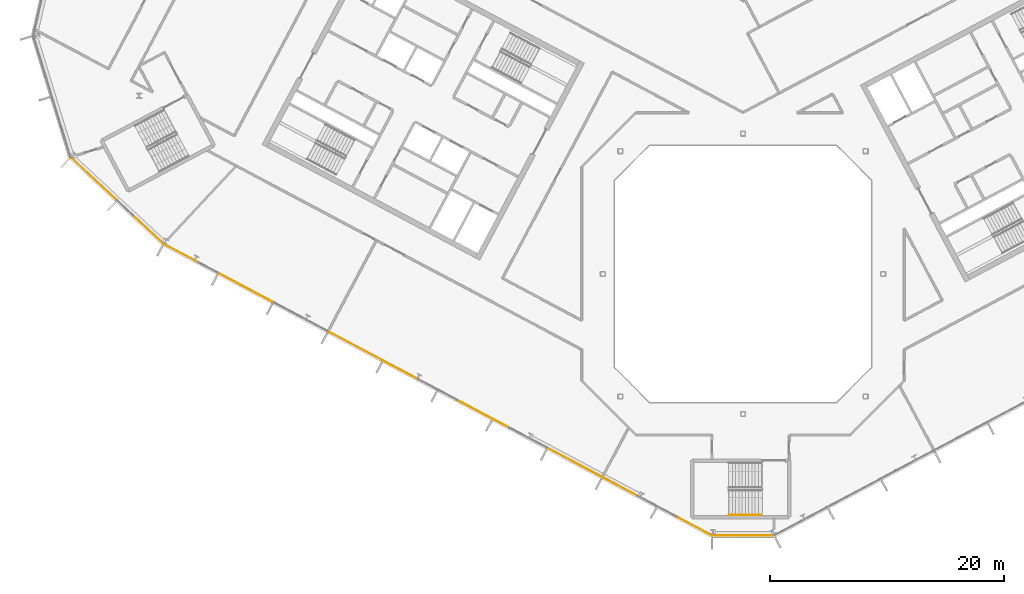
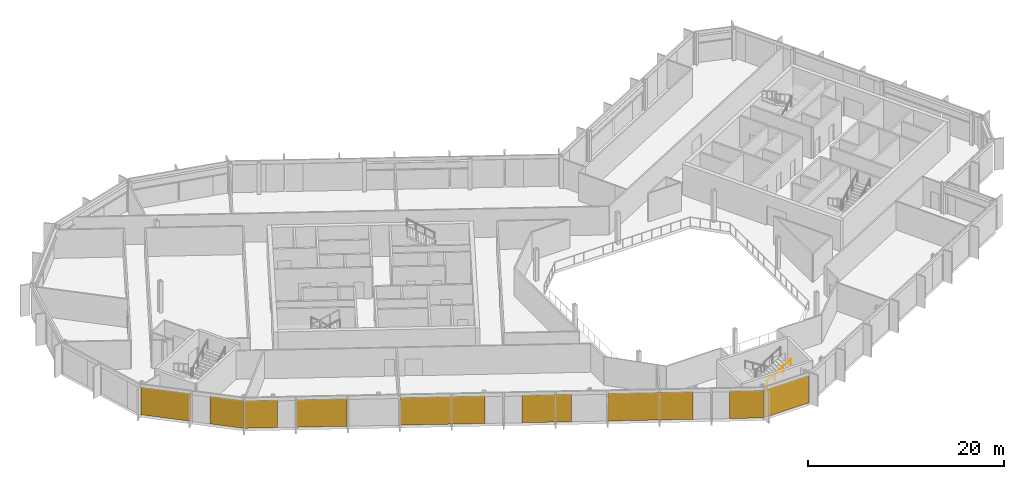
# One storey, part 18 of 25: 9 coverings, 1 railing, 3 elements without a shape of their own.
"""IFC4 building model written with IfcOpenShell, lengths in metres."""

from ifc_helpers import new_model, si_unit, direction, frame, origin, origin_2d, place, context, subcontext, project, spatial, polyline, rectangle, outline, extrude, material, layer, layer_set, type_object, element, aggregate, save


model = new_model("IFC4")

# Units and contexts
model_context = context("Model", 3, precision=1e-05, world=origin(), true_north=direction((0.0, 1.0)))
body_context = subcontext(model_context, "Body", "Model", "MODEL_VIEW")
ifc_project = project(units=[si_unit("LENGTHUNIT", "METRE"), si_unit("AREAUNIT", "SQUARE_METRE"), si_unit("VOLUMEUNIT", "CUBIC_METRE"), si_unit("PLANEANGLEUNIT", "RADIAN"), si_unit("MASSUNIT", "GRAM", prefix="KILO")], contexts=[model_context])

# Site, building, storey
site_placement = place(None, origin())
site = spatial("IfcSite", under=ifc_project, at=site_placement, CompositionType="ELEMENT")
building_placement = place(site_placement, origin())
building = spatial("IfcBuilding", under=site, at=building_placement, Name="Cormorant Relay Tower", CompositionType="ELEMENT")
storey_placement = place(building_placement, frame((0.0, 0.0, 273.60009765625)))
storey = spatial("IfcBuildingStorey", under=building, at=storey_placement, Name="L61", CompositionType="ELEMENT", Elevation=273.60009765625)

# Curtain wall, covering
ifc_material_1 = material(Name="Aluminium 6063-T6 anodised bronze", Category="aluminium")
ifc_layer_1 = layer(ifc_material_1, 0.199951171875)
ifc_layer_set_1 = layer_set([ifc_layer_1], Name="CW1 unitised bronze curtain wall with vertical fins")
curtain_wall_type = type_object("IfcCurtainWallType", Name="CW1 unitised bronze curtain wall with vertical fins", PredefinedType="NOTDEFINED", material=ifc_layer_set_1)
curtain_wall_1_placement = place(storey_placement, origin())
curtain_wall_1 = element("IfcCurtainWall", 1, at=curtain_wall_1_placement, inside=storey, type_object=curtain_wall_type, Name="CW1 curtain wall 1", PredefinedType="NOTDEFINED")
ifc_material_2 = material(Name="Pale bronze anodised aluminium insulated panel", Category="aluminium")
ifc_layer_2 = layer(ifc_material_2, 0.0400390625)
ifc_layer_set_2 = layer_set([ifc_layer_2], Name="CW1 pale bronze insulated panel 40")
covering_type = type_object("IfcCoveringType", Name="CW1 pale bronze insulated panel 40", PredefinedType="CLADDING", material=ifc_layer_set_2)
covering_1_placement = place(storey_placement, frame((0.03759765625, -22.3955078125, 0.0), z_axis=(0.0, 0.0, 1.0), x_axis=(1.0, 0.0, 0.0)))
covering_1 = element("IfcCovering", 2, at=covering_1_placement, type_object=covering_type, Name="CW1 panel S00", PredefinedType="CLADDING", context=body_context, shape_type="SweptSolid", body=[
    extrude(rectangle(XDim=5.22265625, YDim=0.0400390625, at=origin_2d()), origin(), (0.0, 0.0, 1.0), 3.449951171875),
])
aggregate(curtain_wall_1, [covering_1])

# Curtain wall, coverings
curtain_wall_2_placement = place(storey_placement, origin())
curtain_wall_2 = element("IfcCurtainWall", 3, at=curtain_wall_2_placement, inside=storey, type_object=curtain_wall_type, Name="CW1 curtain wall 15", PredefinedType="NOTDEFINED")
covering_2_placement = place(storey_placement, frame((-55.56787109375, 8.1298828125, 0.0), z_axis=(0.0, 0.0, 1.0), x_axis=(0.731353701619, -0.681998360062, 0.0)))
covering_2 = element("IfcCovering", 4, at=covering_2_placement, type_object=covering_type, Name="CW1 panel S00", PredefinedType="CLADDING", context=body_context, shape_type="SweptSolid", body=[
    extrude(rectangle(XDim=5.28515625, YDim=0.0400390625, at=origin_2d()), origin(), (0.0, 0.0, 1.0), 3.449951171875),
])
covering_3_placement = place(storey_placement, frame((-50.906982421875, 3.78369140625, 0.0), z_axis=(0.0, 0.0, 1.0), x_axis=(0.731353701619, -0.681998360062, 0.0)))
covering_3 = element("IfcCovering", 5, at=covering_3_placement, type_object=covering_type, Name="CW1 panel S02", PredefinedType="CLADDING", context=body_context, shape_type="SweptSolid", body=[
    extrude(rectangle(XDim=3.560302734375, YDim=0.0400390625, at=origin_2d()), origin(), (0.0, 0.0, 1.0), 3.449951171875),
])
aggregate(curtain_wall_2, [covering_2, covering_3])

curtain_wall_3_placement = place(storey_placement, origin())
curtain_wall_3 = element("IfcCurtainWall", 6, at=curtain_wall_3_placement, inside=storey, type_object=curtain_wall_type, Name="CW1 curtain wall 16", PredefinedType="NOTDEFINED")
covering_4_placement = place(storey_placement, frame((-48.048583984375, 1.7412109375, 0.0), z_axis=(0.0, 0.0, 1.0), x_axis=(0.882947592859, -0.469471562786, 0.0)))
covering_4 = element("IfcCovering", 7, at=covering_4_placement, type_object=covering_type, Name="CW1 panel S00", PredefinedType="CLADDING", context=body_context, shape_type="SweptSolid", body=[
    extrude(rectangle(XDim=3.36669921875, YDim=0.0400390625, at=origin_2d()), origin(), (0.0, 0.0, 1.0), 3.449951171875),
])
covering_5_placement = place(storey_placement, frame((-42.5595703125, -1.17724609375, 0.0), z_axis=(0.0, 0.0, 1.0), x_axis=(0.882947592859, -0.469471562786, 0.0)))
covering_5 = element("IfcCovering", 8, at=covering_5_placement, type_object=covering_type, Name="CW1 panel S02", PredefinedType="CLADDING", context=body_context, shape_type="SweptSolid", body=[
    extrude(rectangle(XDim=5.16650390625, YDim=0.0400390625, at=origin_2d()), origin(), (0.0, 0.0, 1.0), 3.449951171875),
])
covering_6_placement = place(storey_placement, frame((-31.618408203125, -6.994873046875, 0.0), z_axis=(0.0, 0.0, 1.0), x_axis=(0.882947592859, -0.469471562786, 0.0)))
covering_6 = element("IfcCovering", 9, at=covering_6_placement, type_object=covering_type, Name="CW1 panel S04", PredefinedType="CLADDING", context=body_context, shape_type="SweptSolid", body=[
    extrude(rectangle(XDim=8.68310546875, YDim=0.0400390625, at=origin_2d()), origin(), (0.0, 0.0, 1.0), 3.449951171875),
])
covering_7_placement = place(storey_placement, frame((-22.22998046875, -11.98681640625, 0.0), z_axis=(0.0, 0.0, 1.0), x_axis=(0.882947592859, -0.469471562786, 0.0)))
covering_7 = element("IfcCovering", 10, at=covering_7_placement, type_object=covering_type, Name="CW1 panel S07", PredefinedType="CLADDING", context=body_context, shape_type="SweptSolid", body=[
    extrude(rectangle(XDim=5.083251953125, YDim=0.0400390625, at=origin_2d()), origin(), (0.0, 0.0, 1.0), 3.449951171875),
])
covering_8_placement = place(storey_placement, frame((-12.84130859375, -16.978759765625, 0.0), z_axis=(0.0, 0.0, 1.0), x_axis=(0.882947592859, -0.469471562786, 0.0)))
covering_8 = element("IfcCovering", 11, at=covering_8_placement, type_object=covering_type, Name="CW1 panel S09", PredefinedType="CLADDING", context=body_context, shape_type="SweptSolid", body=[
    extrude(rectangle(XDim=8.68310546875, YDim=0.0400390625, at=origin_2d()), origin(), (0.0, 0.0, 1.0), 3.449951171875),
])
covering_9_placement = place(storey_placement, frame((-4.177490234375, -21.58544921875, 0.0), z_axis=(0.0, 0.0, 1.0), x_axis=(0.882947592859, -0.469471562786, 0.0)))
covering_9 = element("IfcCovering", 12, at=covering_9_placement, type_object=covering_type, Name="CW1 panel S12", PredefinedType="CLADDING", context=body_context, shape_type="SweptSolid", body=[
    extrude(rectangle(XDim=3.441650390625, YDim=0.0400390625, at=origin_2d()), origin(), (0.0, 0.0, 1.0), 3.449951171875),
])
aggregate(curtain_wall_3, [covering_4, covering_5, covering_6, covering_7, covering_8, covering_9])

# Railing
ifc_material_3 = material(Name="Steel ASTM A572 Grade 50 (Fy 345 MPa)", Category="steel")
railing_type = type_object("IfcRailingType", Name="Stair handrail 900", PredefinedType="HANDRAIL", material=ifc_material_3)
railing_placement = place(storey_placement, frame((-1.199951171875, -20.625, 2.127197265625)))
element("IfcRailing", 13, at=railing_placement, inside=storey, type_object=railing_type, Name="L61 RK1 stair handrail 2", PredefinedType="HANDRAIL", context=body_context, shape_type="SweptSolid", body=[
    extrude(outline(polyline([(0.022216796875, 0.00927734375), (0.00927734375, 0.022216796875), (-0.00927734375, 0.022216796875), (-0.022216796875, 0.00927734375), (-0.022216796875, -0.00927734375), (-0.00927734375, -0.022216796875), (0.00927734375, -0.022216796875), (0.022216796875, -0.00927734375), (0.022216796875, 0.00927734375)])), frame((0.0, 0.0, 0.8759765625), z_axis=(0.844908973607, 0.0, 0.534910110503), x_axis=(0.0, 1.0, 0.0)), (0.0, 0.0, 1.0), 3.31396484375),
    extrude(outline(polyline([(0.019287109375, 0.008056640625), (0.008056640625, 0.019287109375), (-0.008056640625, 0.019287109375), (-0.019287109375, 0.008056640625), (-0.019287109375, -0.008056640625), (-0.008056640625, -0.019287109375), (0.008056640625, -0.019287109375), (0.019287109375, -0.008056640625), (0.019287109375, 0.008056640625)])), origin(), (0.0, 0.0, 1.0), 0.851806640625),
    extrude(outline(polyline([(0.019287109375, 0.008056640625), (0.008056640625, 0.019287109375), (-0.008056640625, 0.019287109375), (-0.019287109375, 0.008056640625), (-0.019287109375, -0.008056640625), (-0.008056640625, -0.019287109375), (0.008056640625, -0.019287109375), (0.019287109375, -0.008056640625), (0.019287109375, 0.008056640625)])), frame((0.933349609375, 0.0, 0.5908203125)), (0.0, 0.0, 1.0), 0.851806640625),
    extrude(outline(polyline([(0.019287109375, 0.008056640625), (0.008056640625, 0.019287109375), (-0.008056640625, 0.019287109375), (-0.019287109375, 0.008056640625), (-0.019287109375, -0.008056640625), (-0.008056640625, -0.019287109375), (0.008056640625, -0.019287109375), (0.019287109375, -0.008056640625), (0.019287109375, 0.008056640625)])), frame((1.86669921875, 0.0, 1.181884765625)), (0.0, 0.0, 1.0), 0.851806640625),
    extrude(outline(polyline([(0.019287109375, 0.008056640625), (0.008056640625, 0.019287109375), (-0.008056640625, 0.019287109375), (-0.019287109375, 0.008056640625), (-0.019287109375, -0.008056640625), (-0.008056640625, -0.019287109375), (0.008056640625, -0.019287109375), (0.019287109375, -0.008056640625), (0.019287109375, 0.008056640625)])), frame((2.800048828125, 0.0, 1.772705078125)), (0.0, 0.0, 1.0), 0.851806640625),
])

save(model, "model.ifc")
